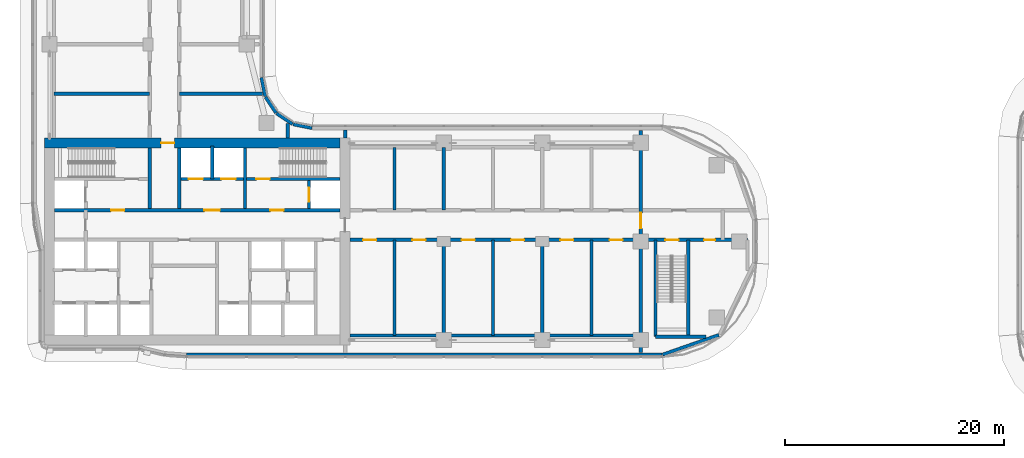
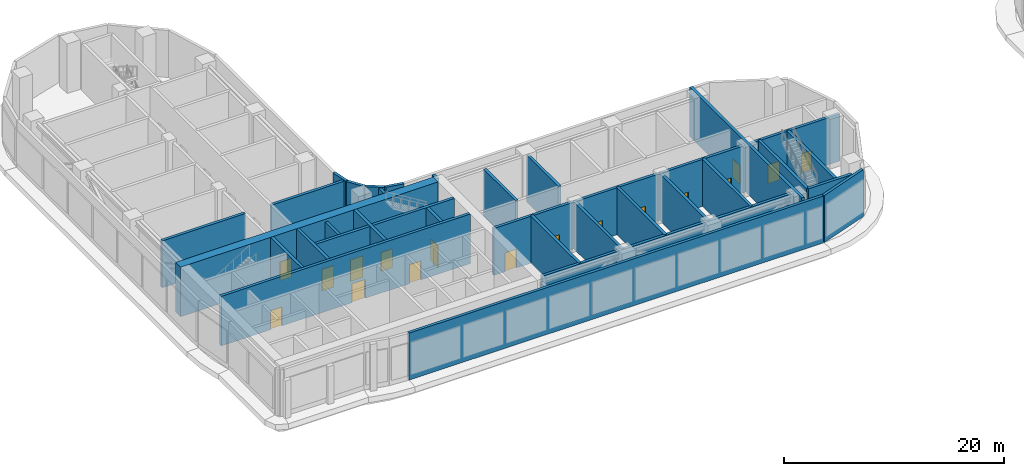
# One storey, part 4 of 23: 32 walls, 17 doors, 17 openings.
"""IFC4 building model written with IfcOpenShell, lengths in metres."""

from ifc_helpers import new_model, si_unit, direction, frame, frame_2d, origin, place, context, subcontext, project, spatial, rectangle, extrude, material, layer, layer_set, type_object, element, fill, save


model = new_model("IFC4")

# Units and contexts
model_context = context("Model", 3, precision=1e-05, world=origin(), true_north=direction((0.0, 1.0)))
body_context = subcontext(model_context, "Body", "Model", "MODEL_VIEW")
ifc_project = project(units=[si_unit("LENGTHUNIT", "METRE"), si_unit("AREAUNIT", "SQUARE_METRE"), si_unit("VOLUMEUNIT", "CUBIC_METRE"), si_unit("PLANEANGLEUNIT", "RADIAN"), si_unit("MASSUNIT", "GRAM", prefix="KILO")], contexts=[model_context])

# Site, building, storey
site_placement = place(None, origin())
site = spatial("IfcSite", under=ifc_project, at=site_placement, CompositionType="ELEMENT")
building_placement = place(site_placement, origin())
building = spatial("IfcBuilding", under=site, at=building_placement, Name="Ogive Portal Towers", CompositionType="ELEMENT")
storey_placement = place(building_placement, frame((0.0, 0.0, 81.60009765625)))
storey = spatial("IfcBuildingStorey", under=building, at=storey_placement, Name="L19", CompositionType="ELEMENT", Elevation=81.60009765625)

# Wall, openings, doors
ifc_material_1 = material(Name="Concrete C60/75", Category="concrete")
ifc_layer_1 = layer(ifc_material_1, 0.300048828125)
ifc_layer_set_1 = layer_set([ifc_layer_1], Name="CORE WALL 300 C60")
wall_type_1 = type_object("IfcWallType", Name="CORE WALL 300 C60", PredefinedType="SHEAR", material=ifc_layer_set_1)
wall_1_placement = place(storey_placement, frame((31.949951171875, 33.35009765625, 0.0), z_axis=(0.0, 0.0, 1.0), x_axis=(1.0, 0.0, 0.0)))
wall_1 = element("IfcWall", 1, at=wall_1_placement, inside=storey, type_object=wall_type_1, Name="Core wall Y2 L19", PredefinedType="SHEAR", context=body_context, shape_type="SweptSolid", body=[
    extrude(rectangle(XDim=26.10009765625, YDim=0.300048828125, at=frame_2d((13.050048828125, 0.0))), origin(), (0.0, 0.0, 1.0), 5.5),
])
opening_1_placement = place(wall_1_placement, frame((13.699951171875, 0.0, 0.0)))
opening_1 = element("IfcOpeningElement", 2, at=opening_1_placement, cuts=wall_1, Name="Opening D06-002", PredefinedType="OPENING", context=body_context, shape_type="SweptSolid", body=[
    extrude(rectangle(XDim=1.39990234375, YDim=2.10009765625, at=frame_2d((0.699951171875, 1.050048828125))), frame((0.0, 0.16015625, 0.0), z_axis=(0.0, -1.0, 0.0), x_axis=(1.0, 0.0, 0.0)), (0.0, 0.0, 1.0), 0.320068359375),
])
opening_2_placement = place(wall_1_placement, frame((5.175048828125, 0.0, 0.0)))
opening_2 = element("IfcOpeningElement", 3, at=opening_2_placement, cuts=wall_1, Name="Opening D06-003", PredefinedType="OPENING", context=body_context, shape_type="SweptSolid", body=[
    extrude(rectangle(XDim=1.199951171875, YDim=2.10009765625, at=frame_2d((0.60009765625, 1.050048828125))), frame((0.0, 0.16015625, 0.0), z_axis=(0.0, -1.0, 0.0), x_axis=(1.0, 0.0, 0.0)), (0.0, 0.0, 1.0), 0.320068359375),
])
opening_3_placement = place(wall_1_placement, frame((19.72509765625, 0.0, 0.0)))
opening_3 = element("IfcOpeningElement", 4, at=opening_3_placement, cuts=wall_1, Name="Opening D06-004", PredefinedType="OPENING", context=body_context, shape_type="SweptSolid", body=[
    extrude(rectangle(XDim=1.199951171875, YDim=2.10009765625, at=frame_2d((0.60009765625, 1.050048828125))), frame((0.0, 0.16015625, 0.0), z_axis=(0.0, -1.0, 0.0), x_axis=(1.0, 0.0, 0.0)), (0.0, 0.0, 1.0), 0.320068359375),
])
ifc_material_2 = material(Name="Steel fire door", Category="steel")
door_type_1 = type_object("IfcDoorType", Name="DT-SWING-1200x2100-FD90S", OperationType="SINGLE_SWING_LEFT", PredefinedType="DOOR", material=ifc_material_2)
door_1_placement = place(opening_2_placement, origin())
door_1 = element("IfcDoor", 5, at=door_1_placement, inside=storey, type_object=door_type_1, Name="Door D06-003", OperationType="SINGLE_SWING_LEFT", OverallHeight=2.10009765625, OverallWidth=1.199951171875, PredefinedType="DOOR", context=body_context, shape_type="SweptSolid", body=[
    extrude(rectangle(XDim=1.199951171875, YDim=2.10009765625, at=frame_2d((0.60009765625, 1.050048828125))), frame((0.0, 0.02490234375, 0.0), z_axis=(0.0, -1.0, 0.0), x_axis=(1.0, 0.0, 0.0)), (0.0, 0.0, 1.0), 0.050048828125),
])
fill(opening_2, door_1)
door_2_placement = place(opening_3_placement, origin())
door_2 = element("IfcDoor", 6, at=door_2_placement, inside=storey, type_object=door_type_1, Name="Door D06-004", OperationType="SINGLE_SWING_RIGHT", OverallHeight=2.10009765625, OverallWidth=1.199951171875, PredefinedType="DOOR", context=body_context, shape_type="SweptSolid", body=[
    extrude(rectangle(XDim=1.199951171875, YDim=2.10009765625, at=frame_2d((0.60009765625, 1.050048828125))), frame((0.0, 0.02490234375, 0.0), z_axis=(0.0, -1.0, 0.0), x_axis=(1.0, 0.0, 0.0)), (0.0, 0.0, 1.0), 0.050048828125),
])
fill(opening_3, door_2)
door_type_2 = type_object("IfcDoorType", Name="DT-SWING-1400x2100-FD90S", OperationType="SINGLE_SWING_LEFT", PredefinedType="DOOR", material=ifc_material_2)
door_3_placement = place(opening_1_placement, origin())
door_3 = element("IfcDoor", 7, at=door_3_placement, inside=storey, type_object=door_type_2, Name="Door D06-002", OperationType="SINGLE_SWING_RIGHT", OverallHeight=2.10009765625, OverallWidth=1.39990234375, PredefinedType="DOOR", context=body_context, shape_type="SweptSolid", body=[
    extrude(rectangle(XDim=1.39990234375, YDim=2.10009765625, at=frame_2d((0.699951171875, 1.050048828125))), frame((0.0, 0.02490234375, 0.0), z_axis=(0.0, -1.0, 0.0), x_axis=(1.0, 0.0, 0.0)), (0.0, 0.0, 1.0), 0.050048828125),
])
fill(opening_1, door_3)

wall_2_placement = place(storey_placement, frame((43.5, 36.199951171875, 0.0), z_axis=(0.0, 0.0, 1.0), x_axis=(1.0, 0.0, 0.0)))
wall_2 = element("IfcWall", 8, at=wall_2_placement, inside=storey, type_object=wall_type_1, Name="Core wall Y3b L19", PredefinedType="SHEAR", context=body_context, shape_type="SweptSolid", body=[
    extrude(rectangle(XDim=14.550048828125, YDim=0.300048828125, at=frame_2d((7.27490234375, 0.0))), origin(), (0.0, 0.0, 1.0), 5.5),
])
opening_4_placement = place(wall_2_placement, frame((6.89990234375, 0.0, 0.0)))
opening_4 = element("IfcOpeningElement", 9, at=opening_4_placement, cuts=wall_2, Name="Opening D06-006", PredefinedType="OPENING", context=body_context, shape_type="SweptSolid", body=[
    extrude(rectangle(XDim=1.199951171875, YDim=2.10009765625, at=frame_2d((0.60009765625, 1.050048828125))), frame((0.0, 0.16015625, 0.0), z_axis=(0.0, -1.0, 0.0), x_axis=(1.0, 0.0, 0.0)), (0.0, 0.0, 1.0), 0.320068359375),
])
opening_5_placement = place(wall_2_placement, frame((0.699951171875, 0.0, 0.0)))
opening_5 = element("IfcOpeningElement", 10, at=opening_5_placement, cuts=wall_2, Name="Opening D06-016", PredefinedType="OPENING", context=body_context, shape_type="SweptSolid", body=[
    extrude(rectangle(XDim=1.300048828125, YDim=2.39990234375, at=frame_2d((0.64990234375, 1.199951171875))), frame((0.0, 0.16015625, 0.0), z_axis=(0.0, -1.0, 0.0), x_axis=(1.0, 0.0, 0.0)), (0.0, 0.0, 1.0), 0.320068359375),
])
opening_6_placement = place(wall_2_placement, frame((3.699951171875, 0.0, 0.0)))
opening_6 = element("IfcOpeningElement", 11, at=opening_6_placement, cuts=wall_2, Name="Opening D06-017", PredefinedType="OPENING", context=body_context, shape_type="SweptSolid", body=[
    extrude(rectangle(XDim=1.300048828125, YDim=2.39990234375, at=frame_2d((0.64990234375, 1.199951171875))), frame((0.0, 0.16015625, 0.0), z_axis=(0.0, -1.0, 0.0), x_axis=(1.0, 0.0, 0.0)), (0.0, 0.0, 1.0), 0.320068359375),
])
ifc_material_3 = material(Name="Stainless steel", Category="steel")
door_type_3 = type_object("IfcDoorType", Name="DT-LD-1300x2400", OperationType="SLIDING_TO_LEFT", PredefinedType="DOOR", material=ifc_material_3)
door_4_placement = place(opening_5_placement, origin())
door_4 = element("IfcDoor", 12, at=door_4_placement, inside=storey, type_object=door_type_3, Name="Door D06-016", OperationType="SLIDING_TO_LEFT", OverallHeight=2.39990234375, OverallWidth=1.300048828125, PredefinedType="DOOR", context=body_context, shape_type="SweptSolid", body=[
    extrude(rectangle(XDim=1.300048828125, YDim=2.39990234375, at=frame_2d((0.64990234375, 1.199951171875))), frame((0.0, 0.02490234375, 0.0), z_axis=(0.0, -1.0, 0.0), x_axis=(1.0, 0.0, 0.0)), (0.0, 0.0, 1.0), 0.050048828125),
])
fill(opening_5, door_4)
door_5_placement = place(opening_6_placement, origin())
door_5 = element("IfcDoor", 13, at=door_5_placement, inside=storey, type_object=door_type_3, Name="Door D06-017", OperationType="SLIDING_TO_LEFT", OverallHeight=2.39990234375, OverallWidth=1.300048828125, PredefinedType="DOOR", context=body_context, shape_type="SweptSolid", body=[
    extrude(rectangle(XDim=1.300048828125, YDim=2.39990234375, at=frame_2d((0.64990234375, 1.199951171875))), frame((0.0, 0.02490234375, 0.0), z_axis=(0.0, -1.0, 0.0), x_axis=(1.0, 0.0, 0.0)), (0.0, 0.0, 1.0), 0.050048828125),
])
fill(opening_6, door_5)
door_6_placement = place(opening_4_placement, origin())
door_6 = element("IfcDoor", 14, at=door_6_placement, inside=storey, type_object=door_type_1, Name="Door D06-006", OperationType="SINGLE_SWING_LEFT", OverallHeight=2.10009765625, OverallWidth=1.199951171875, PredefinedType="DOOR", context=body_context, shape_type="SweptSolid", body=[
    extrude(rectangle(XDim=1.199951171875, YDim=2.10009765625, at=frame_2d((0.60009765625, 1.050048828125))), frame((0.0, 0.02490234375, 0.0), z_axis=(0.0, -1.0, 0.0), x_axis=(1.0, 0.0, 0.0)), (0.0, 0.0, 1.0), 0.050048828125),
])
fill(opening_4, door_6)

# Walls
for number, where, z_axis, x_axis, name in (
    (15, (40.64990234375, 33.5, 0.0), (0.0, 0.0, 1.0), (0.0, 1.0, 0.0), "Core wall X6 L19"),
    (16, (43.35009765625, 33.5, 0.0), (0.0, 0.0, 1.0), (0.0, 1.0, 0.0), "Core wall X7 L19"),
    (17, (49.35009765625, 33.5, 0.0), (0.0, 0.0, 1.0), (0.0, 1.0, 0.0), "Core wall X9 L19"),
):
    element("IfcWall", number, at=place(storey_placement, frame(where, z_axis=z_axis, x_axis=x_axis)), inside=storey, type_object=wall_type_1, Name=name, PredefinedType="SHEAR", context=body_context, shape_type="SweptSolid", body=[
        extrude(rectangle(XDim=5.550048828125, YDim=0.300048828125, at=frame_2d((2.77490234375, 0.0))), origin(), (0.0, 0.0, 1.0), 5.5),
    ])

# Wall, opening, door
wall_3_placement = place(storey_placement, frame((55.199951171875, 33.5, 0.0), z_axis=(0.0, 0.0, 1.0), x_axis=(0.0, 1.0, 0.0)))
wall_3 = element("IfcWall", 18, at=wall_3_placement, inside=storey, type_object=wall_type_1, Name="Core wall X10 L19", PredefinedType="SHEAR", context=body_context, shape_type="SweptSolid", body=[
    extrude(rectangle(XDim=2.550048828125, YDim=0.300048828125, at=frame_2d((1.27490234375, 0.0))), origin(), (0.0, 0.0, 1.0), 5.5),
])
opening_7_placement = place(wall_3_placement, frame((0.625, 0.0, 0.0)))
opening_7 = element("IfcOpeningElement", 19, at=opening_7_placement, cuts=wall_3, Name="Opening D06-019", PredefinedType="OPENING", context=body_context, shape_type="SweptSolid", body=[
    extrude(rectangle(XDim=1.300048828125, YDim=2.39990234375, at=frame_2d((0.64990234375, 1.199951171875))), frame((0.0, 0.16015625, 0.0), z_axis=(0.0, -1.0, 0.0), x_axis=(1.0, 0.0, 0.0)), (0.0, 0.0, 1.0), 0.320068359375),
])
door_7_placement = place(opening_7_placement, origin())
door_7 = element("IfcDoor", 20, at=door_7_placement, inside=storey, type_object=door_type_3, Name="Door D06-019", OperationType="SLIDING_TO_LEFT", OverallHeight=2.39990234375, OverallWidth=1.300048828125, PredefinedType="DOOR", context=body_context, shape_type="SweptSolid", body=[
    extrude(rectangle(XDim=1.300048828125, YDim=2.39990234375, at=frame_2d((0.64990234375, 1.199951171875))), frame((0.0, 0.02490234375, 0.0), z_axis=(0.0, -1.0, 0.0), x_axis=(1.0, 0.0, 0.0)), (0.0, 0.0, 1.0), 0.050048828125),
])
fill(opening_7, door_7)

ifc_layer_2 = layer(ifc_material_1, 0.89990234375)
ifc_layer_set_2 = layer_set([ifc_layer_2], Name="CORE WALL 900 C60")
wall_type_2 = type_object("IfcWallType", Name="CORE WALL 900 C60", PredefinedType="SHEAR", material=ifc_layer_set_2)
wall_4_placement = place(storey_placement, frame((31.050048828125, 39.5, 0.0), z_axis=(0.0, 0.0, 1.0), x_axis=(1.0, 0.0, 0.0)))
wall_4 = element("IfcWall", 21, at=wall_4_placement, inside=storey, type_object=wall_type_2, Name="Core wall N L19", PredefinedType="SHEAR", context=body_context, shape_type="SweptSolid", body=[
    extrude(rectangle(XDim=27.0, YDim=0.89990234375, at=frame_2d((13.5, 0.0))), origin(), (0.0, 0.0, 1.0), 5.5),
])
opening_8_placement = place(wall_4_placement, frame((10.64990234375, 0.0, 0.0)))
opening_8 = element("IfcOpeningElement", 22, at=opening_8_placement, cuts=wall_4, Name="Opening D06-011", PredefinedType="OPENING", context=body_context, shape_type="SweptSolid", body=[
    extrude(rectangle(XDim=1.199951171875, YDim=2.10009765625, at=frame_2d((0.60009765625, 1.050048828125))), frame((0.0, 0.4599609375, 0.0), z_axis=(0.0, -1.0, 0.0), x_axis=(1.0, 0.0, 0.0)), (0.0, 0.0, 1.0), 0.919921875),
])
door_8_placement = place(opening_8_placement, origin())
door_8 = element("IfcDoor", 23, at=door_8_placement, inside=storey, type_object=door_type_1, Name="Door D06-011", OperationType="SINGLE_SWING_RIGHT", OverallHeight=2.10009765625, OverallWidth=1.199951171875, PredefinedType="DOOR", context=body_context, shape_type="SweptSolid", body=[
    extrude(rectangle(XDim=1.199951171875, YDim=2.10009765625, at=frame_2d((0.60009765625, 1.050048828125))), frame((0.0, 0.02490234375, 0.0), z_axis=(0.0, -1.0, 0.0), x_axis=(1.0, 0.0, 0.0)), (0.0, 0.0, 1.0), 0.050048828125),
])
fill(opening_8, door_8)

# Walls
ifc_material_4 = material(Name="Limestone cladding on lightweight block wall", Category="masonry")
ifc_layer_3 = layer(ifc_material_4, 0.300048828125)
ifc_layer_set_3 = layer_set([ifc_layer_3], Name="EXTERNAL WALL 300 STONE")
wall_type_3 = type_object("IfcWallType", Name="EXTERNAL WALL 300 STONE", PredefinedType="SOLIDWALL", material=ifc_layer_set_3)
wall_5_placement = place(storey_placement, frame((44.0107421875, 20.14990234375, 0.0), z_axis=(0.0, 0.0, 1.0), x_axis=(1.0, 0.0, 0.0)))
element("IfcWall", 24, at=wall_5_placement, inside=storey, type_object=wall_type_3, Name="A:L19:f06:r0:wall", PredefinedType="SOLIDWALL", context=body_context, shape_type="SweptSolid", body=[
    extrude(rectangle(XDim=43.438232421875, YDim=0.300048828125, at=frame_2d((21.71923828125, 0.0))), origin(), (0.0, 0.0, 1.0), 5.199951171875),
])
wall_6_placement = place(storey_placement, frame((87.49853515625, 20.158447265625, 0.0), z_axis=(0.0, 0.0, 1.0), x_axis=(0.943879346284, 0.330290447423, 0.0)))
element("IfcWall", 25, at=wall_6_placement, inside=storey, type_object=wall_type_3, Name="A:L19:f07:r0:wall", PredefinedType="SOLIDWALL", context=body_context, shape_type="SweptSolid", body=[
    extrude(rectangle(XDim=5.439453125, YDim=0.300048828125, at=frame_2d((2.7197265625, 0.0))), origin(), (0.0, 0.0, 1.0), 5.199951171875),
])
wall_7_placement = place(storey_placement, frame((55.470703125, 40.852783203125, 0.0), z_axis=(0.0, 0.0, 1.0), x_axis=(-0.980783389265, 0.19509982917, 0.0)))
element("IfcWall", 26, at=wall_7_placement, inside=storey, type_object=wall_type_3, Name="A:L19:f13:r0:wall", PredefinedType="SOLIDWALL", context=body_context, shape_type="SweptSolid", body=[
    extrude(rectangle(XDim=1.755615234375, YDim=0.300048828125, at=frame_2d((0.8779296875, 0.0))), origin(), (0.0, 0.0, 1.0), 5.199951171875),
])
for number, where, z_axis, x_axis, name in (
    (27, (53.694580078125, 41.2177734375, 0.0), (0.0, 0.0, 1.0), (-0.831450873773, 0.555598276187, 0.0), "A:L19:f14:r0:wall"),
    (28, (52.193359375, 42.234619140625, 0.0), (0.0, 0.0, 1.0), (-0.555598276187, 0.831450873773, 0.0), "A:L19:f15:r0:wall"),
):
    element("IfcWall", number, at=place(storey_placement, frame(where, z_axis=z_axis, x_axis=x_axis)), inside=storey, type_object=wall_type_3, Name=name, PredefinedType="SOLIDWALL", context=body_context, shape_type="SweptSolid", body=[
        extrude(rectangle(XDim=1.755859375, YDim=0.300048828125, at=frame_2d((0.8779296875, 0.0))), origin(), (0.0, 0.0, 1.0), 5.199951171875),
    ])
wall_8_placement = place(storey_placement, frame((51.1953125, 43.748779296875, 0.0), z_axis=(0.0, 0.0, 1.0), x_axis=(-0.19509982917, 0.980783389265, 0.0)))
element("IfcWall", 29, at=wall_8_placement, inside=storey, type_object=wall_type_3, Name="A:L19:f16:r0:wall", PredefinedType="SOLIDWALL", context=body_context, shape_type="SweptSolid", body=[
    extrude(rectangle(XDim=1.755615234375, YDim=0.300048828125, at=frame_2d((0.8779296875, 0.0))), origin(), (0.0, 0.0, 1.0), 5.199951171875),
])

# Wall, opening, door
ifc_layer_4 = layer(ifc_material_1, 0.300048828125)
ifc_layer_set_4 = layer_set([ifc_layer_4], Name="REVEAL WALL 300 C60")
wall_type_4 = type_object("IfcWallType", Name="REVEAL WALL 300 C60", PredefinedType="SHEAR", material=ifc_layer_set_4)
wall_9_placement = place(storey_placement, frame((85.5, 20.35009765625, 0.0), z_axis=(0.0, 0.0, 1.0), x_axis=(0.0, 1.0, 0.0)))
wall_9 = element("IfcWall", 30, at=wall_9_placement, inside=storey, type_object=wall_type_4, Name="Portal reveal wall L19", PredefinedType="SHEAR", context=body_context, shape_type="SweptSolid", body=[
    extrude(rectangle(XDim=20.2998046875, YDim=0.300048828125, at=frame_2d((10.14990234375, 0.0))), origin(), (0.0, 0.0, 1.0), 5.5),
])
opening_9_placement = place(wall_9_placement, frame((11.35009765625, 0.0, 0.0)))
opening_9 = element("IfcOpeningElement", 31, at=opening_9_placement, cuts=wall_9, Name="Opening D06-053", PredefinedType="OPENING", context=body_context, shape_type="SweptSolid", body=[
    extrude(rectangle(XDim=1.39990234375, YDim=2.10009765625, at=frame_2d((0.699951171875, 1.050048828125))), frame((0.0, 0.16015625, 0.0), z_axis=(0.0, -1.0, 0.0), x_axis=(1.0, 0.0, 0.0)), (0.0, 0.0, 1.0), 0.320068359375),
])
door_type_4 = type_object("IfcDoorType", Name="DT-STAIR-1400x2100-FD90S", OperationType="SINGLE_SWING_LEFT", PredefinedType="DOOR", material=ifc_material_2)
door_9_placement = place(opening_9_placement, origin())
door_9 = element("IfcDoor", 32, at=door_9_placement, inside=storey, type_object=door_type_4, Name="Door D06-053", OperationType="SINGLE_SWING_RIGHT", OverallHeight=2.10009765625, OverallWidth=1.39990234375, PredefinedType="DOOR", context=body_context, shape_type="SweptSolid", body=[
    extrude(rectangle(XDim=1.39990234375, YDim=2.10009765625, at=frame_2d((0.699951171875, 1.050048828125))), frame((0.0, 0.02490234375, 0.0), z_axis=(0.0, -1.0, 0.0), x_axis=(1.0, 0.0, 0.0)), (0.0, 0.0, 1.0), 0.050048828125),
])
fill(opening_9, door_9)

# Wall
ifc_material_5 = material(Name="Concrete C50/60", Category="concrete")
ifc_layer_5 = layer(ifc_material_5, 0.300048828125)
ifc_layer_set_5 = layer_set([ifc_layer_5], Name="STAIR WALL 300 C50")
wall_type_5 = type_object("IfcWallType", Name="STAIR WALL 300 C50", PredefinedType="SHEAR", material=ifc_layer_set_5)
wall_10_placement = place(storey_placement, frame((86.85009765625, 21.800048828125, 0.0), z_axis=(0.0, 0.0, 1.0), x_axis=(1.0, 0.0, 0.0)))
element("IfcWall", 33, at=wall_10_placement, inside=storey, type_object=wall_type_5, Name="Stair wall ST-A4 L19", PredefinedType="SHEAR", context=body_context, shape_type="SweptSolid", body=[
    extrude(rectangle(XDim=4.595947265625, YDim=0.300048828125, at=frame_2d((2.2978515625, 0.0))), origin(), (0.0, 0.0, 1.0), 5.199951171875),
])

# Wall, openings, doors
wall_11_placement = place(storey_placement, frame((85.669921875, 30.64990234375, 0.0), z_axis=(0.0, 0.0, 1.0), x_axis=(1.0, 0.0, 0.0)))
wall_11 = element("IfcWall", 34, at=wall_11_placement, inside=storey, type_object=wall_type_5, Name="Stair wall ST-A4 L19", PredefinedType="SHEAR", context=body_context, shape_type="SweptSolid", body=[
    extrude(rectangle(XDim=9.580078125, YDim=0.300048828125, at=frame_2d((4.7900390625, 0.0))), origin(), (0.0, 0.0, 1.0), 5.199951171875),
])
opening_10_placement = place(wall_11_placement, frame((2.080078125, 0.0, 0.0)))
opening_10 = element("IfcOpeningElement", 35, at=opening_10_placement, cuts=wall_11, Name="Opening D06-049", PredefinedType="OPENING", context=body_context, shape_type="SweptSolid", body=[
    extrude(rectangle(XDim=1.199951171875, YDim=2.10009765625, at=frame_2d((0.60009765625, 1.050048828125))), frame((0.0, 0.16015625, 0.0), z_axis=(0.0, -1.0, 0.0), x_axis=(1.0, 0.0, 0.0)), (0.0, 0.0, 1.0), 0.320068359375),
])
opening_11_placement = place(wall_11_placement, frame((5.6298828125, 0.0, 0.0)))
opening_11 = element("IfcOpeningElement", 36, at=opening_11_placement, cuts=wall_11, Name="Opening D06-051", PredefinedType="OPENING", context=body_context, shape_type="SweptSolid", body=[
    extrude(rectangle(XDim=1.0, YDim=2.10009765625, at=frame_2d((0.5, 1.050048828125))), frame((0.0, 0.16015625, 0.0), z_axis=(0.0, -1.0, 0.0), x_axis=(1.0, 0.0, 0.0)), (0.0, 0.0, 1.0), 0.320068359375),
])
door_type_5 = type_object("IfcDoorType", Name="DT-SERVICE-1000x2100-FD90S", OperationType="SINGLE_SWING_LEFT", PredefinedType="DOOR", material=ifc_material_2)
door_10_placement = place(opening_11_placement, origin())
door_10 = element("IfcDoor", 37, at=door_10_placement, inside=storey, type_object=door_type_5, Name="Riser access door D06-051", OperationType="SINGLE_SWING_LEFT", OverallHeight=2.10009765625, OverallWidth=1.0, PredefinedType="DOOR", context=body_context, shape_type="SweptSolid", body=[
    extrude(rectangle(XDim=1.0, YDim=2.10009765625, at=frame_2d((0.5, 1.050048828125))), frame((0.0, 0.02490234375, 0.0), z_axis=(0.0, -1.0, 0.0), x_axis=(1.0, 0.0, 0.0)), (0.0, 0.0, 1.0), 0.050048828125),
])
fill(opening_11, door_10)
door_type_6 = type_object("IfcDoorType", Name="DT-STAIR-1200x2100-FD90S", OperationType="SINGLE_SWING_LEFT", PredefinedType="DOOR", material=ifc_material_2)
door_11_placement = place(opening_10_placement, origin())
door_11 = element("IfcDoor", 38, at=door_11_placement, inside=storey, type_object=door_type_6, Name="Door D06-049", OperationType="SINGLE_SWING_LEFT", OverallHeight=2.10009765625, OverallWidth=1.199951171875, PredefinedType="DOOR", context=body_context, shape_type="SweptSolid", body=[
    extrude(rectangle(XDim=1.199951171875, YDim=2.10009765625, at=frame_2d((0.60009765625, 1.050048828125))), frame((0.0, 0.02490234375, 0.0), z_axis=(0.0, -1.0, 0.0), x_axis=(1.0, 0.0, 0.0)), (0.0, 0.0, 1.0), 0.050048828125),
])
fill(opening_10, door_11)

# Walls
for number, where, z_axis, x_axis, name in (
    (39, (86.85009765625, 21.800048828125, 0.0), (0.0, 0.0, 1.0), (0.0, 1.0, 0.0), "Stair wall ST-A4 L19"),
    (40, (89.85009765625, 21.800048828125, 0.0), (0.0, 0.0, 1.0), (0.0, 1.0, 0.0), "Stair wall ST-A4 L19"),
):
    element("IfcWall", number, at=place(storey_placement, frame(where, z_axis=z_axis, x_axis=x_axis)), inside=storey, type_object=wall_type_5, Name=name, PredefinedType="SHEAR", context=body_context, shape_type="SweptSolid", body=[
        extrude(rectangle(XDim=8.849853515625, YDim=0.300048828125, at=frame_2d((4.4248046875, 0.0))), origin(), (0.0, 0.0, 1.0), 5.199951171875),
    ])

# Wall, openings, doors
ifc_material_6 = material(Name="Gypsum board partition on steel studs", Category="steel")
ifc_layer_6 = layer(ifc_material_6, 0.300048828125)
ifc_layer_set_6 = layer_set([ifc_layer_6], Name="WT-PART-300-EI 120")
wall_type_6 = type_object("IfcWallType", Name="WT-PART-300-EI 120", PredefinedType="PARTITIONING", material=ifc_layer_set_6)
wall_12_placement = place(storey_placement, frame((58.949951171875, 30.64990234375, 0.0), z_axis=(0.0, 0.0, 1.0), x_axis=(1.0, 0.0, 0.0)))
wall_12 = element("IfcWall", 41, at=wall_12_placement, inside=storey, type_object=wall_type_6, Name="Wall L19:w003", PredefinedType="PARTITIONING", context=body_context, shape_type="SweptSolid", body=[
    extrude(rectangle(XDim=26.380126953125, YDim=0.300048828125, at=frame_2d((13.18994140625, 0.0))), origin(), (0.0, 0.0, 1.0), 5.199951171875),
])
opening_12_placement = place(wall_12_placement, frame((1.199951171875, 0.0, 0.0)))
opening_12 = element("IfcOpeningElement", 42, at=opening_12_placement, cuts=wall_12, Name="Opening D06-027", PredefinedType="OPENING", context=body_context, shape_type="SweptSolid", body=[
    extrude(rectangle(XDim=1.199951171875, YDim=2.10009765625, at=frame_2d((0.60009765625, 1.050048828125))), frame((0.0, 0.16015625, 0.0), z_axis=(0.0, -1.0, 0.0), x_axis=(1.0, 0.0, 0.0)), (0.0, 0.0, 1.0), 0.320068359375),
])
opening_13_placement = place(wall_12_placement, frame((5.699951171875, 0.0, 0.0)))
opening_13 = element("IfcOpeningElement", 43, at=opening_13_placement, cuts=wall_12, Name="Opening D06-028", PredefinedType="OPENING", context=body_context, shape_type="SweptSolid", body=[
    extrude(rectangle(XDim=1.199951171875, YDim=2.10009765625, at=frame_2d((0.60009765625, 1.050048828125))), frame((0.0, 0.16015625, 0.0), z_axis=(0.0, -1.0, 0.0), x_axis=(1.0, 0.0, 0.0)), (0.0, 0.0, 1.0), 0.320068359375),
])
opening_14_placement = place(wall_12_placement, frame((10.199951171875, 0.0, 0.0)))
opening_14 = element("IfcOpeningElement", 44, at=opening_14_placement, cuts=wall_12, Name="Opening D06-031", PredefinedType="OPENING", context=body_context, shape_type="SweptSolid", body=[
    extrude(rectangle(XDim=1.199951171875, YDim=2.10009765625, at=frame_2d((0.60009765625, 1.050048828125))), frame((0.0, 0.16015625, 0.0), z_axis=(0.0, -1.0, 0.0), x_axis=(1.0, 0.0, 0.0)), (0.0, 0.0, 1.0), 0.320068359375),
])
opening_15_placement = place(wall_12_placement, frame((14.699951171875, 0.0, 0.0)))
opening_15 = element("IfcOpeningElement", 45, at=opening_15_placement, cuts=wall_12, Name="Opening D06-032", PredefinedType="OPENING", context=body_context, shape_type="SweptSolid", body=[
    extrude(rectangle(XDim=1.199951171875, YDim=2.10009765625, at=frame_2d((0.60009765625, 1.050048828125))), frame((0.0, 0.16015625, 0.0), z_axis=(0.0, -1.0, 0.0), x_axis=(1.0, 0.0, 0.0)), (0.0, 0.0, 1.0), 0.320068359375),
])
opening_16_placement = place(wall_12_placement, frame((19.199951171875, 0.0, 0.0)))
opening_16 = element("IfcOpeningElement", 46, at=opening_16_placement, cuts=wall_12, Name="Opening D06-035", PredefinedType="OPENING", context=body_context, shape_type="SweptSolid", body=[
    extrude(rectangle(XDim=1.199951171875, YDim=2.10009765625, at=frame_2d((0.60009765625, 1.050048828125))), frame((0.0, 0.16015625, 0.0), z_axis=(0.0, -1.0, 0.0), x_axis=(1.0, 0.0, 0.0)), (0.0, 0.0, 1.0), 0.320068359375),
])
opening_17_placement = place(wall_12_placement, frame((23.699951171875, 0.0, 0.0)))
opening_17 = element("IfcOpeningElement", 47, at=opening_17_placement, cuts=wall_12, Name="Opening D06-036", PredefinedType="OPENING", context=body_context, shape_type="SweptSolid", body=[
    extrude(rectangle(XDim=1.199951171875, YDim=2.10009765625, at=frame_2d((0.60009765625, 1.050048828125))), frame((0.0, 0.16015625, 0.0), z_axis=(0.0, -1.0, 0.0), x_axis=(1.0, 0.0, 0.0)), (0.0, 0.0, 1.0), 0.320068359375),
])
door_type_7 = type_object("IfcDoorType", Name="DT-ENTRY-1200x2100-FD90S", OperationType="SINGLE_SWING_LEFT", PredefinedType="DOOR", material=ifc_material_2)
door_12_placement = place(opening_12_placement, origin())
door_12 = element("IfcDoor", 48, at=door_12_placement, inside=storey, type_object=door_type_7, Name="Door D06-027", OperationType="SINGLE_SWING_RIGHT", OverallHeight=2.10009765625, OverallWidth=1.199951171875, PredefinedType="DOOR", context=body_context, shape_type="SweptSolid", body=[
    extrude(rectangle(XDim=1.199951171875, YDim=2.10009765625, at=frame_2d((0.60009765625, 1.050048828125))), frame((0.0, 0.02490234375, 0.0), z_axis=(0.0, -1.0, 0.0), x_axis=(1.0, 0.0, 0.0)), (0.0, 0.0, 1.0), 0.050048828125),
])
fill(opening_12, door_12)
door_13_placement = place(opening_13_placement, origin())
door_13 = element("IfcDoor", 49, at=door_13_placement, inside=storey, type_object=door_type_7, Name="Door D06-028", OperationType="SINGLE_SWING_LEFT", OverallHeight=2.10009765625, OverallWidth=1.199951171875, PredefinedType="DOOR", context=body_context, shape_type="SweptSolid", body=[
    extrude(rectangle(XDim=1.199951171875, YDim=2.10009765625, at=frame_2d((0.60009765625, 1.050048828125))), frame((0.0, 0.02490234375, 0.0), z_axis=(0.0, -1.0, 0.0), x_axis=(1.0, 0.0, 0.0)), (0.0, 0.0, 1.0), 0.050048828125),
])
fill(opening_13, door_13)
door_14_placement = place(opening_14_placement, origin())
door_14 = element("IfcDoor", 50, at=door_14_placement, inside=storey, type_object=door_type_7, Name="Door D06-031", OperationType="SINGLE_SWING_LEFT", OverallHeight=2.10009765625, OverallWidth=1.199951171875, PredefinedType="DOOR", context=body_context, shape_type="SweptSolid", body=[
    extrude(rectangle(XDim=1.199951171875, YDim=2.10009765625, at=frame_2d((0.60009765625, 1.050048828125))), frame((0.0, 0.02490234375, 0.0), z_axis=(0.0, -1.0, 0.0), x_axis=(1.0, 0.0, 0.0)), (0.0, 0.0, 1.0), 0.050048828125),
])
fill(opening_14, door_14)
door_15_placement = place(opening_15_placement, origin())
door_15 = element("IfcDoor", 51, at=door_15_placement, inside=storey, type_object=door_type_7, Name="Door D06-032", OperationType="SINGLE_SWING_LEFT", OverallHeight=2.10009765625, OverallWidth=1.199951171875, PredefinedType="DOOR", context=body_context, shape_type="SweptSolid", body=[
    extrude(rectangle(XDim=1.199951171875, YDim=2.10009765625, at=frame_2d((0.60009765625, 1.050048828125))), frame((0.0, 0.02490234375, 0.0), z_axis=(0.0, -1.0, 0.0), x_axis=(1.0, 0.0, 0.0)), (0.0, 0.0, 1.0), 0.050048828125),
])
fill(opening_15, door_15)
door_16_placement = place(opening_16_placement, origin())
door_16 = element("IfcDoor", 52, at=door_16_placement, inside=storey, type_object=door_type_7, Name="Door D06-035", OperationType="SINGLE_SWING_LEFT", OverallHeight=2.10009765625, OverallWidth=1.199951171875, PredefinedType="DOOR", context=body_context, shape_type="SweptSolid", body=[
    extrude(rectangle(XDim=1.199951171875, YDim=2.10009765625, at=frame_2d((0.60009765625, 1.050048828125))), frame((0.0, 0.02490234375, 0.0), z_axis=(0.0, -1.0, 0.0), x_axis=(1.0, 0.0, 0.0)), (0.0, 0.0, 1.0), 0.050048828125),
])
fill(opening_16, door_16)
door_17_placement = place(opening_17_placement, origin())
door_17 = element("IfcDoor", 53, at=door_17_placement, inside=storey, type_object=door_type_7, Name="Door D06-036", OperationType="SINGLE_SWING_RIGHT", OverallHeight=2.10009765625, OverallWidth=1.199951171875, PredefinedType="DOOR", context=body_context, shape_type="SweptSolid", body=[
    extrude(rectangle(XDim=1.199951171875, YDim=2.10009765625, at=frame_2d((0.60009765625, 1.050048828125))), frame((0.0, 0.02490234375, 0.0), z_axis=(0.0, -1.0, 0.0), x_axis=(1.0, 0.0, 0.0)), (0.0, 0.0, 1.0), 0.050048828125),
])
fill(opening_17, door_17)

# Walls
wall_13_placement = place(storey_placement, frame((58.5, 39.949951171875, 0.0), z_axis=(0.0, 0.0, 1.0), x_axis=(0.0, 1.0, 0.0)))
element("IfcWall", 54, at=wall_13_placement, inside=storey, type_object=wall_type_6, Name="Wall L19:wc02", PredefinedType="PARTITIONING", context=body_context, shape_type="SweptSolid", body=[
    extrude(rectangle(XDim=0.739990234375, YDim=0.300048828125, at=frame_2d((0.3701171875, 0.0))), origin(), (0.0, 0.0, 1.0), 5.199951171875),
])
ifc_layer_7 = layer(ifc_material_6, 0.300048828125)
ifc_layer_set_7 = layer_set([ifc_layer_7], Name="WT-PART-300-EI 60")
wall_type_7 = type_object("IfcWallType", Name="WT-PART-300-EI 60", PredefinedType="PARTITIONING", material=ifc_layer_set_7)
wall_14_placement = place(storey_placement, frame((58.949951171875, 21.89990234375, 0.0), z_axis=(0.0, 0.0, 1.0), x_axis=(1.0, 0.0, 0.0)))
element("IfcWall", 55, at=wall_14_placement, inside=storey, type_object=wall_type_7, Name="Wall L19:w002", PredefinedType="PARTITIONING", context=body_context, shape_type="SweptSolid", body=[
    extrude(rectangle(XDim=26.380126953125, YDim=0.300048828125, at=frame_2d((13.18994140625, 0.0))), origin(), (0.0, 0.0, 1.0), 5.199951171875),
])
wall_15_placement = place(storey_placement, frame((31.89990234375, 44.0, 0.0), z_axis=(0.0, 0.0, 1.0), x_axis=(1.0, 0.0, 0.0)))
element("IfcWall", 56, at=wall_15_placement, inside=storey, type_object=wall_type_7, Name="Wall L19:w008", PredefinedType="PARTITIONING", context=body_context, shape_type="SweptSolid", body=[
    extrude(rectangle(XDim=8.75, YDim=0.300048828125, at=frame_2d((4.375, 0.0))), origin(), (0.0, 0.0, 1.0), 5.199951171875),
])
wall_16_placement = place(storey_placement, frame((43.35009765625, 44.0, 0.0), z_axis=(0.0, 0.0, 1.0), x_axis=(1.0, 0.0, 0.0)))
element("IfcWall", 57, at=wall_16_placement, inside=storey, type_object=wall_type_7, Name="Wall L19:w009", PredefinedType="PARTITIONING", context=body_context, shape_type="SweptSolid", body=[
    extrude(rectangle(XDim=7.591796875, YDim=0.300048828125, at=frame_2d((3.7958984375, 0.0))), origin(), (0.0, 0.0, 1.0), 5.14990234375),
])
wall_17_placement = place(storey_placement, frame((53.25, 39.949951171875, 0.0), z_axis=(0.0, 0.0, 1.0), x_axis=(0.0, 1.0, 0.0)))
element("IfcWall", 58, at=wall_17_placement, inside=storey, type_object=wall_type_7, Name="Wall L19:w029", PredefinedType="PARTITIONING", context=body_context, shape_type="SweptSolid", body=[
    extrude(rectangle(XDim=1.323974609375, YDim=0.300048828125, at=frame_2d((0.662109375, 0.0))), origin(), (0.0, 0.0, 1.0), 5.14990234375),
])
wall_18_placement = place(storey_placement, frame((63.0, 21.89990234375, 0.0), z_axis=(0.0, 0.0, 1.0), x_axis=(0.0, 1.0, 0.0)))
element("IfcWall", 59, at=wall_18_placement, inside=storey, type_object=wall_type_7, Name="Wall L19:w030", PredefinedType="PARTITIONING", context=body_context, shape_type="SweptSolid", body=[
    extrude(rectangle(XDim=8.75, YDim=0.300048828125, at=frame_2d((4.375, 0.0))), origin(), (0.0, 0.0, 1.0), 5.199951171875),
])
wall_19_placement = place(storey_placement, frame((63.0, 33.35009765625, 0.0), z_axis=(0.0, 0.0, 1.0), x_axis=(0.0, 1.0, 0.0)))
element("IfcWall", 60, at=wall_19_placement, inside=storey, type_object=wall_type_7, Name="Wall L19:w031", PredefinedType="PARTITIONING", context=body_context, shape_type="SweptSolid", body=[
    extrude(rectangle(XDim=5.75, YDim=0.300048828125, at=frame_2d((2.875, 0.0))), origin(), (0.0, 0.0, 1.0), 5.199951171875),
])
wall_20_placement = place(storey_placement, frame((67.5, 21.89990234375, 0.0), z_axis=(0.0, 0.0, 1.0), x_axis=(0.0, 1.0, 0.0)))
element("IfcWall", 61, at=wall_20_placement, inside=storey, type_object=wall_type_7, Name="Wall L19:w032", PredefinedType="PARTITIONING", context=body_context, shape_type="SweptSolid", body=[
    extrude(rectangle(XDim=8.75, YDim=0.300048828125, at=frame_2d((4.375, 0.0))), origin(), (0.0, 0.0, 1.0), 5.199951171875),
])
wall_21_placement = place(storey_placement, frame((67.5, 33.35009765625, 0.0), z_axis=(0.0, 0.0, 1.0), x_axis=(0.0, 1.0, 0.0)))
element("IfcWall", 62, at=wall_21_placement, inside=storey, type_object=wall_type_7, Name="Wall L19:w033", PredefinedType="PARTITIONING", context=body_context, shape_type="SweptSolid", body=[
    extrude(rectangle(XDim=5.75, YDim=0.300048828125, at=frame_2d((2.875, 0.0))), origin(), (0.0, 0.0, 1.0), 5.199951171875),
])
for number, where, z_axis, x_axis, name in (
    (63, (72.0, 21.89990234375, 0.0), (0.0, 0.0, 1.0), (0.0, 1.0, 0.0), "Wall L19:w034"),
    (64, (76.5, 21.89990234375, 0.0), (0.0, 0.0, 1.0), (0.0, 1.0, 0.0), "Wall L19:w036"),
    (65, (81.0, 21.89990234375, 0.0), (0.0, 0.0, 1.0), (0.0, 1.0, 0.0), "Wall L19:w038"),
):
    element("IfcWall", number, at=place(storey_placement, frame(where, z_axis=z_axis, x_axis=x_axis)), inside=storey, type_object=wall_type_7, Name=name, PredefinedType="PARTITIONING", context=body_context, shape_type="SweptSolid", body=[
        extrude(rectangle(XDim=8.75, YDim=0.300048828125, at=frame_2d((4.375, 0.0))), origin(), (0.0, 0.0, 1.0), 5.199951171875),
    ])
ifc_material_7 = material(Name="Concrete C40/50", Category="concrete")
ifc_layer_8 = layer(ifc_material_7, 0.300048828125)
ifc_layer_set_8 = layer_set([ifc_layer_8], Name="WT-SHAFT-300")
wall_type_8 = type_object("IfcWallType", Name="WT-SHAFT-300", PredefinedType="SOLIDWALL", material=ifc_layer_set_8)
wall_22_placement = place(storey_placement, frame((46.35009765625, 36.199951171875, 0.0), z_axis=(0.0, 0.0, 1.0), x_axis=(0.0, 1.0, 0.0)))
element("IfcWall", 66, at=wall_22_placement, inside=storey, type_object=wall_type_8, Name="Wall pw:008:L19", PredefinedType="SOLIDWALL", context=body_context, shape_type="SweptSolid", body=[
    extrude(rectangle(XDim=3.0, YDim=0.300048828125, at=frame_2d((1.5, 0.0))), origin(), (0.0, 0.0, 1.0), 5.199951171875),
])

save(model, "model.ifc")
